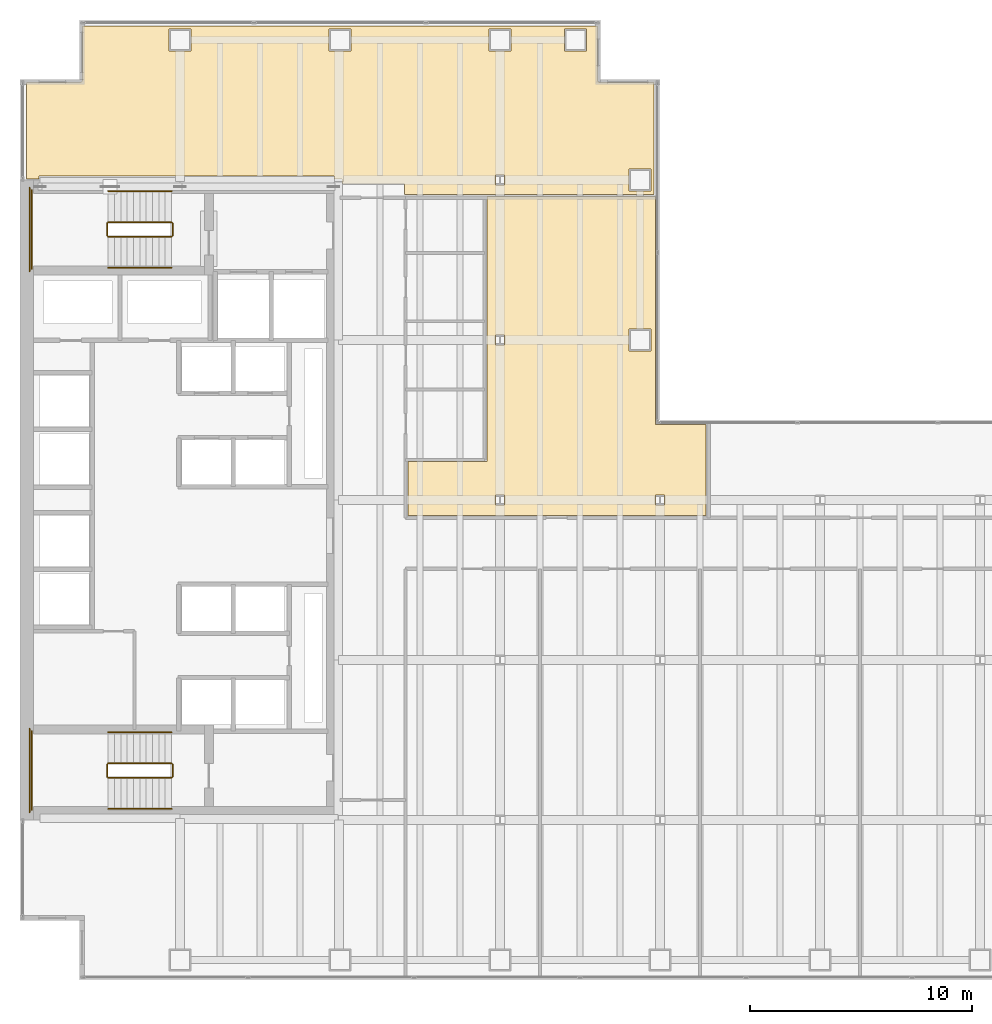
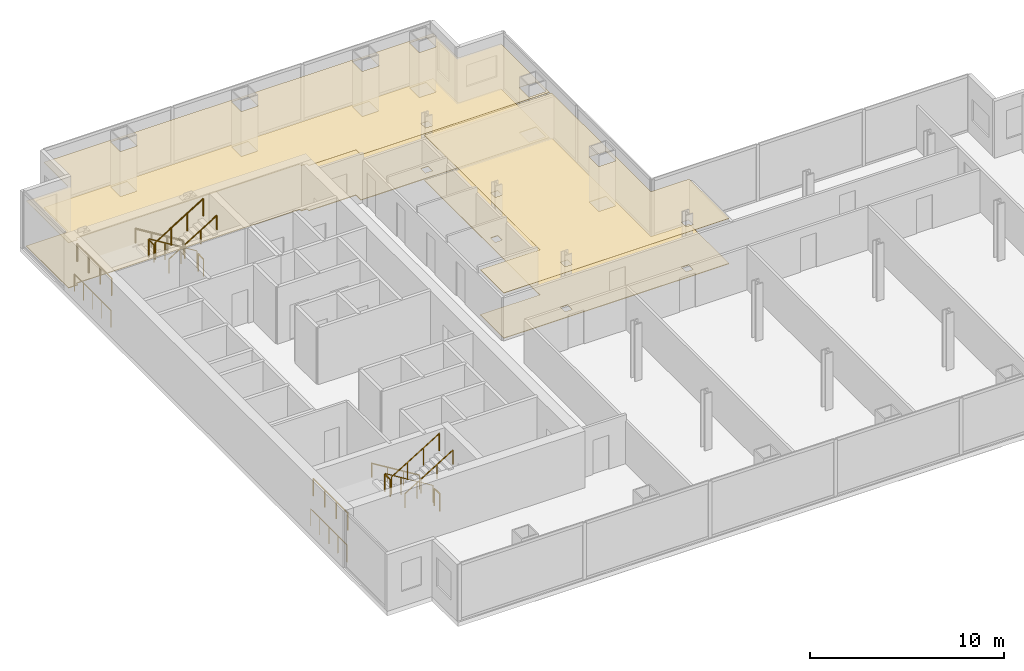
# One storey, part 23 of 23: 16 railings, 4 coverings.
"""IFC4 building model written with IfcOpenShell, lengths in metres."""

from ifc_helpers import new_model, si_unit, direction, frame, origin, origin_2d, place, context, subcontext, project, spatial, polyline, circle, outline, extrude, material, layer, layer_set, type_object, element, save


model = new_model("IFC4")

# Units and contexts
model_context = context("Model", 3, precision=1e-05, world=origin(), true_north=direction((0.0, 1.0)))
body_context = subcontext(model_context, "Body", "Model", "MODEL_VIEW")
ifc_project = project(units=[si_unit("LENGTHUNIT", "METRE"), si_unit("AREAUNIT", "SQUARE_METRE"), si_unit("VOLUMEUNIT", "CUBIC_METRE"), si_unit("PLANEANGLEUNIT", "RADIAN"), si_unit("MASSUNIT", "GRAM", prefix="KILO")], contexts=[model_context])

# Site, building, storey
site_placement = place(None, origin())
site = spatial("IfcSite", under=ifc_project, at=site_placement, CompositionType="ELEMENT")
building_placement = place(site_placement, origin())
building = spatial("IfcBuilding", under=site, at=building_placement, Name="Cobrela Telecom Tower", CompositionType="ELEMENT")
storey_placement = place(building_placement, frame((0.0, 0.0, 50.39990234375)))
storey = spatial("IfcBuildingStorey", under=building, at=storey_placement, Name="L12", CompositionType="ELEMENT", Elevation=50.39990234375)

# Coverings
ifc_material_1 = material(Name="Mineral Fibre Acoustic Ceiling Tile")
ifc_layer_1 = layer(ifc_material_1, 0.02490234375)
ifc_layer_set_1 = layer_set([ifc_layer_1], Name="Mineral Fibre Acoustic Ceiling Tile")
covering_type_1 = type_object("IfcCoveringType", Name="COV-CEIL-ACT", PredefinedType="CEILING", material=ifc_layer_set_1)
covering_1_placement = place(storey_placement, frame((0.0, 0.0, 2.85009765625)))
element("IfcCovering", 1, at=covering_1_placement, inside=storey, type_object=covering_type_1, Name="L12 Engineering Conference Room 1 Suspended Acoustic Ceiling", PredefinedType="CEILING", context=body_context, shape_type="SweptSolid", body=[
    extrude(outline(polyline([(14.139892578125, 36.18994140625), (0.860107421875, 36.18994140625), (0.860107421875, 36.0400390625), (0.2900390625, 36.0400390625), (0.2900390625, 40.389892578125), (2.6708984375, 40.389892578125), (2.68359375, 40.390625), (2.697265625, 40.392578125), (2.710693359375, 40.39599609375), (2.7236328125, 40.400634765625), (2.736083984375, 40.406494140625), (2.747802734375, 40.41357421875), (2.7587890625, 40.421630859375), (2.76904296875, 40.430908203125), (2.7783203125, 40.441162109375), (2.786376953125, 40.4521484375), (2.79345703125, 40.464111328125), (2.79931640625, 40.476318359375), (2.803955078125, 40.489501953125), (2.807373046875, 40.502685546875), (2.809326171875, 40.516357421875), (2.81005859375, 40.529052734375), (2.81005859375, 42.93994140625), (25.989990234375, 42.93994140625), (25.989990234375, 40.529052734375), (25.990478515625, 40.516357421875), (25.99267578125, 40.502685546875), (25.99609375, 40.489501953125), (26.00048828125, 40.476318359375), (26.006591796875, 40.464111328125), (26.013671875, 40.4521484375), (26.021728515625, 40.441162109375), (26.031005859375, 40.430908203125), (26.041259765625, 40.421630859375), (26.052001953125, 40.41357421875), (26.06396484375, 40.406494140625), (26.076416015625, 40.400634765625), (26.08935546875, 40.39599609375), (26.102783203125, 40.392578125), (26.1162109375, 40.390625), (26.12890625, 40.389892578125), (28.5400390625, 40.389892578125), (28.5400390625, 35.340087890625), (17.300048828125, 35.340087890625), (17.300048828125, 35.804931640625), (17.298828125, 35.810302734375), (17.2978515625, 35.8154296875), (17.2958984375, 35.820068359375), (17.294677734375, 35.822509765625), (17.291259765625, 35.82861328125), (17.288818359375, 35.831298828125), (17.28564453125, 35.835693359375), (17.28125, 35.8388671875), (17.278564453125, 35.84130859375), (17.272705078125, 35.844482421875), (17.27001953125, 35.845703125), (17.265380859375, 35.847900390625), (17.26025390625, 35.848876953125), (17.2548828125, 35.85009765625), (14.489990234375, 35.85009765625), (14.489990234375, 36.0400390625), (14.139892578125, 36.0400390625), (14.139892578125, 36.18994140625)]), holes=[polyline([(21.81103515625, 35.767578125), (21.81103515625, 36.232421875), (21.388916015625, 36.232421875), (21.388916015625, 35.767578125), (21.81103515625, 35.767578125)]), polyline([(28.39990234375, 35.5), (28.39990234375, 36.5), (27.39990234375, 36.5), (27.39990234375, 35.5), (28.39990234375, 35.5)]), polyline([(7.699951171875, 41.800048828125), (7.699951171875, 42.800048828125), (6.699951171875, 42.800048828125), (6.699951171875, 41.800048828125), (7.699951171875, 41.800048828125)]), polyline([(14.89990234375, 41.800048828125), (14.89990234375, 42.800048828125), (13.89990234375, 42.800048828125), (13.89990234375, 41.800048828125), (14.89990234375, 41.800048828125)]), polyline([(22.10009765625, 41.800048828125), (22.10009765625, 42.800048828125), (21.10009765625, 42.800048828125), (21.10009765625, 41.800048828125), (22.10009765625, 41.800048828125)]), polyline([(25.5, 42.800048828125), (24.5, 42.800048828125), (24.5, 41.800048828125), (25.5, 41.800048828125), (25.5, 42.800048828125)])]), origin(), (0.0, 0.0, 1.0), 0.02490234375),
])
covering_2_placement = place(storey_placement, frame((0.0, 0.0, 2.85009765625)))
element("IfcCovering", 2, at=covering_2_placement, inside=storey, type_object=covering_type_1, Name="L12 Engineering Conference Room 2 Suspended Acoustic Ceiling", PredefinedType="CEILING", context=body_context, shape_type="SweptSolid", body=[
    extrude(outline(polyline([(21.02001953125, 23.340087890625), (21.02001953125, 35.25), (28.5849609375, 35.25), (28.59033203125, 35.251220703125), (28.595458984375, 35.252197265625), (28.60009765625, 35.254150390625), (28.60009765625, 25.0), (30.8798828125, 25.0), (30.8798828125, 20.89990234375), (17.469970703125, 20.89990234375), (17.469970703125, 23.340087890625), (21.02001953125, 23.340087890625)]), holes=[polyline([(21.81103515625, 21.367431640625), (21.81103515625, 21.83251953125), (21.388916015625, 21.83251953125), (21.388916015625, 21.367431640625), (21.81103515625, 21.367431640625)]), polyline([(21.81103515625, 29.032470703125), (21.388916015625, 29.032470703125), (21.388916015625, 28.5673828125), (21.81103515625, 28.5673828125), (21.81103515625, 29.032470703125)]), polyline([(28.39990234375, 28.300048828125), (28.39990234375, 29.300048828125), (27.39990234375, 29.300048828125), (27.39990234375, 28.300048828125), (28.39990234375, 28.300048828125)]), polyline([(29.010986328125, 21.367431640625), (29.010986328125, 21.83251953125), (28.589111328125, 21.83251953125), (28.589111328125, 21.367431640625), (29.010986328125, 21.367431640625)])]), origin(), (0.0, 0.0, 1.0), 0.02490234375),
])
ifc_material_2 = material(Name="Honed Colombian Basalt Stone", Category="masonry")
ifc_layer_2 = layer(ifc_material_2, 0.0400390625)
ifc_layer_set_2 = layer_set([ifc_layer_2], Name="Honed Colombian Basalt Stone")
covering_type_2 = type_object("IfcCoveringType", Name="COV-FLR-STONE", PredefinedType="FLOORING", material=ifc_layer_set_2)
covering_3_placement = place(storey_placement, origin())
element("IfcCovering", 3, at=covering_3_placement, inside=storey, type_object=covering_type_2, Name="L12 Engineering Conference Room 1 Raised Technical Flooring", PredefinedType="FLOORING", context=body_context, shape_type="SweptSolid", body=[
    extrude(outline(polyline([(14.139892578125, 36.18994140625), (0.860107421875, 36.18994140625), (0.860107421875, 36.0400390625), (0.2900390625, 36.0400390625), (0.2900390625, 40.389892578125), (2.6708984375, 40.389892578125), (2.68359375, 40.390625), (2.697265625, 40.392578125), (2.710693359375, 40.39599609375), (2.7236328125, 40.400634765625), (2.736083984375, 40.406494140625), (2.747802734375, 40.41357421875), (2.7587890625, 40.421630859375), (2.76904296875, 40.430908203125), (2.7783203125, 40.441162109375), (2.786376953125, 40.4521484375), (2.79345703125, 40.464111328125), (2.79931640625, 40.476318359375), (2.803955078125, 40.489501953125), (2.807373046875, 40.502685546875), (2.809326171875, 40.516357421875), (2.81005859375, 40.529052734375), (2.81005859375, 42.93994140625), (25.989990234375, 42.93994140625), (25.989990234375, 40.529052734375), (25.990478515625, 40.516357421875), (25.99267578125, 40.502685546875), (25.99609375, 40.489501953125), (26.00048828125, 40.476318359375), (26.006591796875, 40.464111328125), (26.013671875, 40.4521484375), (26.021728515625, 40.441162109375), (26.031005859375, 40.430908203125), (26.041259765625, 40.421630859375), (26.052001953125, 40.41357421875), (26.06396484375, 40.406494140625), (26.076416015625, 40.400634765625), (26.08935546875, 40.39599609375), (26.102783203125, 40.392578125), (26.1162109375, 40.390625), (26.12890625, 40.389892578125), (28.5400390625, 40.389892578125), (28.5400390625, 35.340087890625), (17.300048828125, 35.340087890625), (17.300048828125, 35.804931640625), (17.298828125, 35.810302734375), (17.2978515625, 35.8154296875), (17.2958984375, 35.820068359375), (17.294677734375, 35.822509765625), (17.291259765625, 35.82861328125), (17.288818359375, 35.831298828125), (17.28564453125, 35.835693359375), (17.28125, 35.8388671875), (17.278564453125, 35.84130859375), (17.272705078125, 35.844482421875), (17.27001953125, 35.845703125), (17.265380859375, 35.847900390625), (17.26025390625, 35.848876953125), (17.2548828125, 35.85009765625), (14.489990234375, 35.85009765625), (14.489990234375, 36.0400390625), (14.139892578125, 36.0400390625), (14.139892578125, 36.18994140625)]), holes=[polyline([(21.81103515625, 35.767578125), (21.81103515625, 36.232421875), (21.388916015625, 36.232421875), (21.388916015625, 35.767578125), (21.81103515625, 35.767578125)]), polyline([(28.39990234375, 35.5), (28.39990234375, 36.5), (27.39990234375, 36.5), (27.39990234375, 35.5), (28.39990234375, 35.5)]), polyline([(7.699951171875, 41.800048828125), (7.699951171875, 42.800048828125), (6.699951171875, 42.800048828125), (6.699951171875, 41.800048828125), (7.699951171875, 41.800048828125)]), polyline([(14.89990234375, 41.800048828125), (14.89990234375, 42.800048828125), (13.89990234375, 42.800048828125), (13.89990234375, 41.800048828125), (14.89990234375, 41.800048828125)]), polyline([(22.10009765625, 41.800048828125), (22.10009765625, 42.800048828125), (21.10009765625, 42.800048828125), (21.10009765625, 41.800048828125), (22.10009765625, 41.800048828125)]), polyline([(25.5, 42.800048828125), (24.5, 42.800048828125), (24.5, 41.800048828125), (25.5, 41.800048828125), (25.5, 42.800048828125)])]), origin(), (0.0, 0.0, 1.0), 0.0400390625),
])
covering_4_placement = place(storey_placement, origin())
element("IfcCovering", 4, at=covering_4_placement, inside=storey, type_object=covering_type_2, Name="L12 Engineering Conference Room 2 Raised Technical Flooring", PredefinedType="FLOORING", context=body_context, shape_type="SweptSolid", body=[
    extrude(outline(polyline([(21.02001953125, 23.340087890625), (21.02001953125, 35.25), (28.5849609375, 35.25), (28.59033203125, 35.251220703125), (28.595458984375, 35.252197265625), (28.60009765625, 35.254150390625), (28.60009765625, 25.0), (30.8798828125, 25.0), (30.8798828125, 20.89990234375), (17.469970703125, 20.89990234375), (17.469970703125, 23.340087890625), (21.02001953125, 23.340087890625)]), holes=[polyline([(21.81103515625, 21.367431640625), (21.81103515625, 21.83251953125), (21.388916015625, 21.83251953125), (21.388916015625, 21.367431640625), (21.81103515625, 21.367431640625)]), polyline([(21.81103515625, 29.032470703125), (21.388916015625, 29.032470703125), (21.388916015625, 28.5673828125), (21.81103515625, 28.5673828125), (21.81103515625, 29.032470703125)]), polyline([(28.39990234375, 28.300048828125), (28.39990234375, 29.300048828125), (27.39990234375, 29.300048828125), (27.39990234375, 28.300048828125), (28.39990234375, 28.300048828125)]), polyline([(29.010986328125, 21.367431640625), (29.010986328125, 21.83251953125), (28.589111328125, 21.83251953125), (28.589111328125, 21.367431640625), (29.010986328125, 21.367431640625)])]), origin(), (0.0, 0.0, 1.0), 0.0400390625),
])

# Railings
ifc_material_3 = material(Name="Steel ASTM A36", Category="steel")
railing_type_1 = type_object("IfcRailingType", Name="RAIL-GUARD-1100", PredefinedType="GUARDRAIL", material=ifc_material_3)
railing_1_placement = place(storey_placement, frame((6.820068359375, 34.10009765625, 0.175048828125)))
element("IfcRailing", 5, at=railing_1_placement, inside=storey, type_object=railing_type_1, Name="L12 ST1 stair guard 1", PredefinedType="GUARDRAIL", context=body_context, shape_type="SweptSolid", body=[
    extrude(circle(Radius=0.02392578125, at=origin_2d()), frame((0.0, 0.0, 1.076171875), z_axis=(-0.852179220489, 0.0, 0.52325001306), x_axis=(0.0, -1.0, 0.0)), (0.0, 0.0, 1.0), 3.344482421875),
    extrude(circle(Radius=0.02099609375, at=origin_2d()), origin(), (0.0, 0.0, 1.0), 1.052001953125),
    extrude(circle(Radius=0.02099609375, at=origin_2d()), frame((-0.949951171875, 0.0, 0.583251953125)), (0.0, 0.0, 1.0), 1.052001953125),
    extrude(circle(Radius=0.02099609375, at=origin_2d()), frame((-1.900146484375, 0.0, 1.166748046875)), (0.0, 0.0, 1.0), 1.052001953125),
    extrude(circle(Radius=0.02099609375, at=origin_2d()), frame((-2.85009765625, 0.0, 1.75)), (0.0, 0.0, 1.0), 1.052001953125),
])
railing_2_placement = place(storey_placement, frame((3.919921875, 34.050048828125, 1.925048828125)))
element("IfcRailing", 6, at=railing_2_placement, inside=storey, type_object=railing_type_1, Name="L12 ST1 stair guard 2", PredefinedType="GUARDRAIL", context=body_context, shape_type="SweptSolid", body=[
    extrude(circle(Radius=0.02392578125, at=origin_2d()), frame((0.0, 0.0, 1.076171875), z_axis=(0.0, -1.0, 0.0), x_axis=(1.0, 0.0, 0.0)), (0.0, 0.0, 1.0), 0.550048828125),
    extrude(circle(Radius=0.02099609375, at=origin_2d()), origin(), (0.0, 0.0, 1.0), 1.052001953125),
    extrude(circle(Radius=0.02099609375, at=origin_2d()), frame((0.0, -0.550048828125, 0.0)), (0.0, 0.0, 1.0), 1.052001953125),
])
railing_3_placement = place(storey_placement, frame((0.530029296875, 35.550048828125, 1.925048828125)))
element("IfcRailing", 7, at=railing_3_placement, inside=storey, type_object=railing_type_1, Name="L12 ST1 stair guard 3", PredefinedType="GUARDRAIL", context=body_context, shape_type="SweptSolid", body=[
    extrude(circle(Radius=0.02392578125, at=origin_2d()), frame((0.0, 0.0, 1.076171875), z_axis=(0.0, -1.0, 0.0), x_axis=(1.0, 0.0, 0.0)), (0.0, 0.0, 1.0), 3.550048828125),
    extrude(circle(Radius=0.02099609375, at=origin_2d()), origin(), (0.0, 0.0, 1.0), 1.052001953125),
    extrude(circle(Radius=0.02099609375, at=origin_2d()), frame((0.0, -1.183349609375, 0.0)), (0.0, 0.0, 1.0), 1.052001953125),
    extrude(circle(Radius=0.02099609375, at=origin_2d()), frame((0.0, -2.36669921875, 0.0)), (0.0, 0.0, 1.0), 1.052001953125),
    extrude(circle(Radius=0.02099609375, at=origin_2d()), frame((0.0, -3.550048828125, 0.0)), (0.0, 0.0, 1.0), 1.052001953125),
])
railing_4_placement = place(storey_placement, frame((3.969970703125, 33.449951171875, 2.10009765625)))
element("IfcRailing", 8, at=railing_4_placement, inside=storey, type_object=railing_type_1, Name="L12 ST1 stair guard 4", PredefinedType="GUARDRAIL", context=body_context, shape_type="SweptSolid", body=[
    extrude(circle(Radius=0.02392578125, at=origin_2d()), frame((0.0, 0.0, 1.076171875), z_axis=(0.852179220489, 0.0, 0.52325001306), x_axis=(0.0, 1.0, 0.0)), (0.0, 0.0, 1.0), 3.344482421875),
    extrude(circle(Radius=0.02099609375, at=origin_2d()), origin(), (0.0, 0.0, 1.0), 1.052001953125),
    extrude(circle(Radius=0.02099609375, at=origin_2d()), frame((0.949951171875, 0.0, 0.583251953125)), (0.0, 0.0, 1.0), 1.052001953125),
    extrude(circle(Radius=0.02099609375, at=origin_2d()), frame((1.900146484375, 0.0, 1.166748046875)), (0.0, 0.0, 1.0), 1.052001953125),
    extrude(circle(Radius=0.02099609375, at=origin_2d()), frame((2.85009765625, 0.0, 1.75)), (0.0, 0.0, 1.0), 1.052001953125),
])
railing_5_placement = place(storey_placement, frame((6.8701171875, 34.050048828125, 0.0)))
element("IfcRailing", 9, at=railing_5_placement, inside=storey, type_object=railing_type_1, Name="L12 ST1 stair guard 5", PredefinedType="GUARDRAIL", context=body_context, shape_type="SweptSolid", body=[
    extrude(circle(Radius=0.02392578125, at=origin_2d()), frame((0.0, 0.0, 1.076171875), z_axis=(0.0, -1.0, 0.0), x_axis=(1.0, 0.0, 0.0)), (0.0, 0.0, 1.0), 0.550048828125),
    extrude(circle(Radius=0.02099609375, at=origin_2d()), origin(), (0.0, 0.0, 1.0), 1.052001953125),
    extrude(circle(Radius=0.02099609375, at=origin_2d()), frame((0.0, -0.550048828125, 0.0)), (0.0, 0.0, 1.0), 1.052001953125),
])
railing_6_placement = place(storey_placement, frame((0.429931640625, 35.64990234375, 0.0)))
element("IfcRailing", 10, at=railing_6_placement, inside=storey, type_object=railing_type_1, Name="L12 ST1 stair guard 6", PredefinedType="GUARDRAIL", context=body_context, shape_type="SweptSolid", body=[
    extrude(circle(Radius=0.02392578125, at=origin_2d()), frame((0.0, 0.0, 1.076171875), z_axis=(0.0, -1.0, 0.0), x_axis=(1.0, 0.0, 0.0)), (0.0, 0.0, 1.0), 3.75),
    extrude(circle(Radius=0.02099609375, at=origin_2d()), origin(), (0.0, 0.0, 1.0), 1.052001953125),
    extrude(circle(Radius=0.02099609375, at=origin_2d()), frame((0.0, -0.9375, 0.0)), (0.0, 0.0, 1.0), 1.052001953125),
    extrude(circle(Radius=0.02099609375, at=origin_2d()), frame((0.0, -1.875, 0.0)), (0.0, 0.0, 1.0), 1.052001953125),
    extrude(circle(Radius=0.02099609375, at=origin_2d()), frame((0.0, -2.8125, 0.0)), (0.0, 0.0, 1.0), 1.052001953125),
    extrude(circle(Radius=0.02099609375, at=origin_2d()), frame((0.0, -3.75, 0.0)), (0.0, 0.0, 1.0), 1.052001953125),
])
railing_7_placement = place(storey_placement, frame((6.820068359375, 9.75, 0.175048828125)))
element("IfcRailing", 11, at=railing_7_placement, inside=storey, type_object=railing_type_1, Name="L12 ST2 stair guard 1", PredefinedType="GUARDRAIL", context=body_context, shape_type="SweptSolid", body=[
    extrude(circle(Radius=0.02392578125, at=origin_2d()), frame((0.0, 0.0, 1.076171875), z_axis=(-0.852179220489, 0.0, 0.52325001306), x_axis=(0.0, -1.0, 0.0)), (0.0, 0.0, 1.0), 3.344482421875),
    extrude(circle(Radius=0.02099609375, at=origin_2d()), origin(), (0.0, 0.0, 1.0), 1.052001953125),
    extrude(circle(Radius=0.02099609375, at=origin_2d()), frame((-0.949951171875, 0.0, 0.583251953125)), (0.0, 0.0, 1.0), 1.052001953125),
    extrude(circle(Radius=0.02099609375, at=origin_2d()), frame((-1.900146484375, 0.0, 1.166748046875)), (0.0, 0.0, 1.0), 1.052001953125),
    extrude(circle(Radius=0.02099609375, at=origin_2d()), frame((-2.85009765625, 0.0, 1.75)), (0.0, 0.0, 1.0), 1.052001953125),
])
railing_8_placement = place(storey_placement, frame((3.919921875, 9.699951171875, 1.925048828125)))
element("IfcRailing", 12, at=railing_8_placement, inside=storey, type_object=railing_type_1, Name="L12 ST2 stair guard 2", PredefinedType="GUARDRAIL", context=body_context, shape_type="SweptSolid", body=[
    extrude(circle(Radius=0.02392578125, at=origin_2d()), frame((0.0, 0.0, 1.076171875), z_axis=(0.0, -1.0, 0.0), x_axis=(1.0, 0.0, 0.0)), (0.0, 0.0, 1.0), 0.550048828125),
    extrude(circle(Radius=0.02099609375, at=origin_2d()), origin(), (0.0, 0.0, 1.0), 1.052001953125),
    extrude(circle(Radius=0.02099609375, at=origin_2d()), frame((0.0, -0.550048828125, 0.0)), (0.0, 0.0, 1.0), 1.052001953125),
])
railing_9_placement = place(storey_placement, frame((0.530029296875, 11.199951171875, 1.925048828125)))
element("IfcRailing", 13, at=railing_9_placement, inside=storey, type_object=railing_type_1, Name="L12 ST2 stair guard 3", PredefinedType="GUARDRAIL", context=body_context, shape_type="SweptSolid", body=[
    extrude(circle(Radius=0.02392578125, at=origin_2d()), frame((0.0, 0.0, 1.076171875), z_axis=(0.0, -1.0, 0.0), x_axis=(1.0, 0.0, 0.0)), (0.0, 0.0, 1.0), 3.550048828125),
    extrude(circle(Radius=0.02099609375, at=origin_2d()), origin(), (0.0, 0.0, 1.0), 1.052001953125),
    extrude(circle(Radius=0.02099609375, at=origin_2d()), frame((0.0, -1.183349609375, 0.0)), (0.0, 0.0, 1.0), 1.052001953125),
    extrude(circle(Radius=0.02099609375, at=origin_2d()), frame((0.0, -2.36669921875, 0.0)), (0.0, 0.0, 1.0), 1.052001953125),
    extrude(circle(Radius=0.02099609375, at=origin_2d()), frame((0.0, -3.550048828125, 0.0)), (0.0, 0.0, 1.0), 1.052001953125),
])
railing_10_placement = place(storey_placement, frame((3.969970703125, 9.10009765625, 2.10009765625)))
element("IfcRailing", 14, at=railing_10_placement, inside=storey, type_object=railing_type_1, Name="L12 ST2 stair guard 4", PredefinedType="GUARDRAIL", context=body_context, shape_type="SweptSolid", body=[
    extrude(circle(Radius=0.02392578125, at=origin_2d()), frame((0.0, 0.0, 1.076171875), z_axis=(0.852179220489, 0.0, 0.52325001306), x_axis=(0.0, 1.0, 0.0)), (0.0, 0.0, 1.0), 3.344482421875),
    extrude(circle(Radius=0.02099609375, at=origin_2d()), origin(), (0.0, 0.0, 1.0), 1.052001953125),
    extrude(circle(Radius=0.02099609375, at=origin_2d()), frame((0.949951171875, 0.0, 0.583251953125)), (0.0, 0.0, 1.0), 1.052001953125),
    extrude(circle(Radius=0.02099609375, at=origin_2d()), frame((1.900146484375, 0.0, 1.166748046875)), (0.0, 0.0, 1.0), 1.052001953125),
    extrude(circle(Radius=0.02099609375, at=origin_2d()), frame((2.85009765625, 0.0, 1.75)), (0.0, 0.0, 1.0), 1.052001953125),
])
railing_11_placement = place(storey_placement, frame((6.8701171875, 9.699951171875, 0.0)))
element("IfcRailing", 15, at=railing_11_placement, inside=storey, type_object=railing_type_1, Name="L12 ST2 stair guard 5", PredefinedType="GUARDRAIL", context=body_context, shape_type="SweptSolid", body=[
    extrude(circle(Radius=0.02392578125, at=origin_2d()), frame((0.0, 0.0, 1.076171875), z_axis=(0.0, -1.0, 0.0), x_axis=(1.0, 0.0, 0.0)), (0.0, 0.0, 1.0), 0.550048828125),
    extrude(circle(Radius=0.02099609375, at=origin_2d()), origin(), (0.0, 0.0, 1.0), 1.052001953125),
    extrude(circle(Radius=0.02099609375, at=origin_2d()), frame((0.0, -0.550048828125, 0.0)), (0.0, 0.0, 1.0), 1.052001953125),
])
railing_12_placement = place(storey_placement, frame((0.429931640625, 11.300048828125, 0.0)))
element("IfcRailing", 16, at=railing_12_placement, inside=storey, type_object=railing_type_1, Name="L12 ST2 stair guard 6", PredefinedType="GUARDRAIL", context=body_context, shape_type="SweptSolid", body=[
    extrude(circle(Radius=0.02392578125, at=origin_2d()), frame((0.0, 0.0, 1.076171875), z_axis=(0.0, -1.0, 0.0), x_axis=(1.0, 0.0, 0.0)), (0.0, 0.0, 1.0), 3.75),
    extrude(circle(Radius=0.02099609375, at=origin_2d()), origin(), (0.0, 0.0, 1.0), 1.052001953125),
    extrude(circle(Radius=0.02099609375, at=origin_2d()), frame((0.0, -0.9375, 0.0)), (0.0, 0.0, 1.0), 1.052001953125),
    extrude(circle(Radius=0.02099609375, at=origin_2d()), frame((0.0, -1.875, 0.0)), (0.0, 0.0, 1.0), 1.052001953125),
    extrude(circle(Radius=0.02099609375, at=origin_2d()), frame((0.0, -2.8125, 0.0)), (0.0, 0.0, 1.0), 1.052001953125),
    extrude(circle(Radius=0.02099609375, at=origin_2d()), frame((0.0, -3.75, 0.0)), (0.0, 0.0, 1.0), 1.052001953125),
])
railing_type_2 = type_object("IfcRailingType", Name="RAIL-HAND-920", PredefinedType="HANDRAIL", material=ifc_material_3)
railing_13_placement = place(storey_placement, frame((6.820068359375, 35.5, 0.175048828125)))
element("IfcRailing", 17, at=railing_13_placement, inside=storey, type_object=railing_type_2, Name="L12 ST1 stair handrail 1", PredefinedType="HANDRAIL", context=body_context, shape_type="SweptSolid", body=[
    extrude(circle(Radius=0.02392578125, at=origin_2d()), frame((0.0, 0.0, 0.8759765625), z_axis=(-0.852179220489, 0.0, 0.52325001306), x_axis=(0.0, -1.0, 0.0)), (0.0, 0.0, 1.0), 3.344482421875),
    extrude(circle(Radius=0.02099609375, at=origin_2d()), origin(), (0.0, 0.0, 1.0), 0.851806640625),
    extrude(circle(Radius=0.02099609375, at=origin_2d()), frame((-0.949951171875, 0.0, 0.583251953125)), (0.0, 0.0, 1.0), 0.851806640625),
    extrude(circle(Radius=0.02099609375, at=origin_2d()), frame((-1.900146484375, 0.0, 1.166748046875)), (0.0, 0.0, 1.0), 0.851806640625),
    extrude(circle(Radius=0.02099609375, at=origin_2d()), frame((-2.85009765625, 0.0, 1.75)), (0.0, 0.0, 1.0), 0.851806640625),
])
railing_14_placement = place(storey_placement, frame((3.969970703125, 32.050048828125, 2.10009765625)))
element("IfcRailing", 18, at=railing_14_placement, inside=storey, type_object=railing_type_2, Name="L12 ST1 stair handrail 2", PredefinedType="HANDRAIL", context=body_context, shape_type="SweptSolid", body=[
    extrude(circle(Radius=0.02392578125, at=origin_2d()), frame((0.0, 0.0, 0.8759765625), z_axis=(0.852179220489, 0.0, 0.52325001306), x_axis=(0.0, 1.0, 0.0)), (0.0, 0.0, 1.0), 3.344482421875),
    extrude(circle(Radius=0.02099609375, at=origin_2d()), origin(), (0.0, 0.0, 1.0), 0.851806640625),
    extrude(circle(Radius=0.02099609375, at=origin_2d()), frame((0.949951171875, 0.0, 0.583251953125)), (0.0, 0.0, 1.0), 0.851806640625),
    extrude(circle(Radius=0.02099609375, at=origin_2d()), frame((1.900146484375, 0.0, 1.166748046875)), (0.0, 0.0, 1.0), 0.851806640625),
    extrude(circle(Radius=0.02099609375, at=origin_2d()), frame((2.85009765625, 0.0, 1.75)), (0.0, 0.0, 1.0), 0.851806640625),
])
railing_15_placement = place(storey_placement, frame((6.820068359375, 11.14990234375, 0.175048828125)))
element("IfcRailing", 19, at=railing_15_placement, inside=storey, type_object=railing_type_2, Name="L12 ST2 stair handrail 1", PredefinedType="HANDRAIL", context=body_context, shape_type="SweptSolid", body=[
    extrude(circle(Radius=0.02392578125, at=origin_2d()), frame((0.0, 0.0, 0.8759765625), z_axis=(-0.852179220489, 0.0, 0.52325001306), x_axis=(0.0, -1.0, 0.0)), (0.0, 0.0, 1.0), 3.344482421875),
    extrude(circle(Radius=0.02099609375, at=origin_2d()), origin(), (0.0, 0.0, 1.0), 0.851806640625),
    extrude(circle(Radius=0.02099609375, at=origin_2d()), frame((-0.949951171875, 0.0, 0.583251953125)), (0.0, 0.0, 1.0), 0.851806640625),
    extrude(circle(Radius=0.02099609375, at=origin_2d()), frame((-1.900146484375, 0.0, 1.166748046875)), (0.0, 0.0, 1.0), 0.851806640625),
    extrude(circle(Radius=0.02099609375, at=origin_2d()), frame((-2.85009765625, 0.0, 1.75)), (0.0, 0.0, 1.0), 0.851806640625),
])
railing_16_placement = place(storey_placement, frame((3.969970703125, 7.699951171875, 2.10009765625)))
element("IfcRailing", 20, at=railing_16_placement, inside=storey, type_object=railing_type_2, Name="L12 ST2 stair handrail 2", PredefinedType="HANDRAIL", context=body_context, shape_type="SweptSolid", body=[
    extrude(circle(Radius=0.02392578125, at=origin_2d()), frame((0.0, 0.0, 0.8759765625), z_axis=(0.852179220489, 0.0, 0.52325001306), x_axis=(0.0, 1.0, 0.0)), (0.0, 0.0, 1.0), 3.344482421875),
    extrude(circle(Radius=0.02099609375, at=origin_2d()), origin(), (0.0, 0.0, 1.0), 0.851806640625),
    extrude(circle(Radius=0.02099609375, at=origin_2d()), frame((0.949951171875, 0.0, 0.583251953125)), (0.0, 0.0, 1.0), 0.851806640625),
    extrude(circle(Radius=0.02099609375, at=origin_2d()), frame((1.900146484375, 0.0, 1.166748046875)), (0.0, 0.0, 1.0), 0.851806640625),
    extrude(circle(Radius=0.02099609375, at=origin_2d()), frame((2.85009765625, 0.0, 1.75)), (0.0, 0.0, 1.0), 0.851806640625),
])

save(model, "model.ifc")
